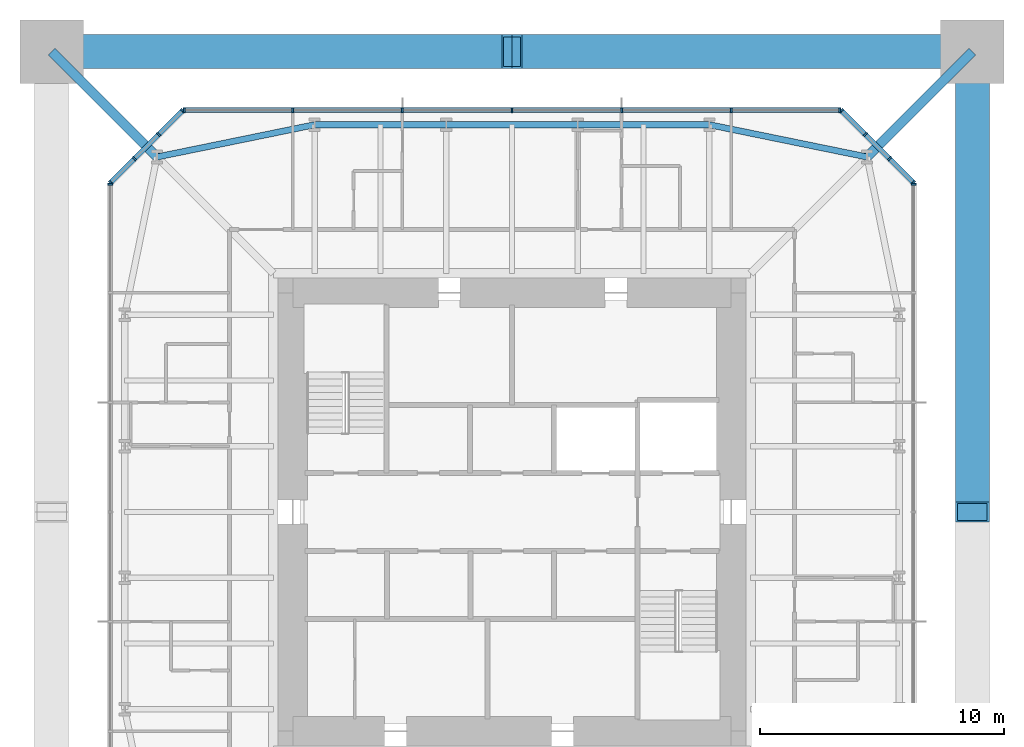
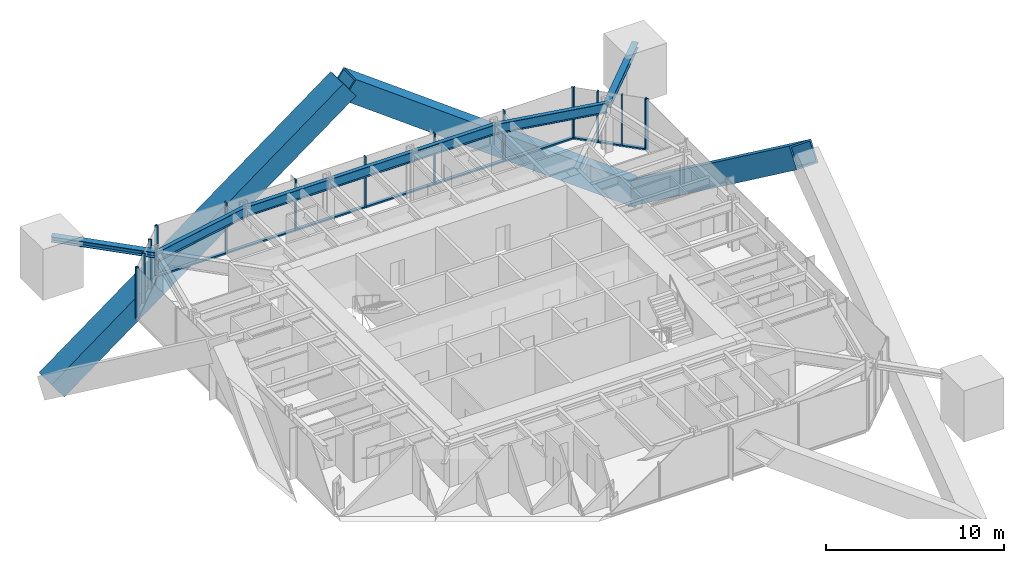
# One storey, part 5 of 10: 34 members, 5 beams, 5 elements without a shape of their own.
"""IFC4 building model written with IfcOpenShell, lengths in metres."""

import ifcopenshell
import ifcopenshell.guid

model = None  # the IFC model being written
_history = None  # IfcOwnerHistory: only IFC2X3 demands one
_inside = {}  # id of a spatial element -> (the spatial element, [elements in it])
_under = {}  # id of a project, library or spatial element -> (it, [spatial elements below it])
_declared = {}  # id of a project -> (the project, [libraries it declares])
_typed = {}  # id of a type object -> (the type object, [elements of that type])
_made_of = {}  # id of a material, layer set ... -> (it, [elements and type objects made of it])


def new_model(schema):
    """Start an empty IFC model of exactly this schema.

    Asked for "IFC4X3", IfcOpenShell would pick the latest addendum, in which some entities
    have other attributes; the version numbers below select the first issue.
    IFC2X3 requires an IfcOwnerHistory on every rooted entity: one is made here for all.
    """
    global model, _history
    if schema == "IFC4X3":
        model = ifcopenshell.file(schema_version=(4, 3, 0, 0))
    else:
        model = ifcopenshell.file(schema=schema)
    _inside.clear()
    _under.clear()
    _declared.clear()
    _typed.clear()
    _made_of.clear()
    _history = None
    if model.schema == "IFC2X3":
        org = make("IfcOrganization", Name="unknown")
        user = make(
            "IfcPersonAndOrganization",
            ThePerson=make("IfcPerson", FamilyName="unknown"),
            TheOrganization=org,
        )
        app = make(
            "IfcApplication",
            ApplicationDeveloper=org,
            Version="unknown",
            ApplicationFullName="unknown",
            ApplicationIdentifier="unknown",
        )
        _history = make(
            "IfcOwnerHistory",
            OwningUser=user,
            OwningApplication=app,
            ChangeAction="ADDED",
            CreationDate=0,
        )
    return model


def make(cls, **values):
    """One entity of the class cls with the attributes given. An attribute that is None is left unset."""
    return model.create_entity(
        cls, **{name: value for name, value in values.items() if value is not None}
    )


def rooted(cls, **values):
    """An entity with a GlobalId (a new one), such as an element, a storey or a relation."""
    return make(cls, GlobalId=ifcopenshell.guid.new(), OwnerHistory=_history, **values)


def si_unit(unit_type, name, prefix=None):
    """IfcSIUnit, for example si_unit("LENGTHUNIT", "METRE", prefix="MILLI")."""
    return make("IfcSIUnit", UnitType=unit_type, Prefix=prefix, Name=name)


def assignment(units):
    """IfcUnitAssignment: the units of a project."""
    return None if units is None else make("IfcUnitAssignment", Units=units)


def point(xyz):
    """IfcCartesianPoint."""
    return None if xyz is None else make("IfcCartesianPoint", Coordinates=xyz)


def direction(xyz):
    """IfcDirection."""
    return None if xyz is None else make("IfcDirection", DirectionRatios=xyz)


def frame(location, z_axis=None, x_axis=None):
    """IfcAxis2Placement3D, a coordinate frame: its origin and axes. An axis left out is left unset."""
    return make(
        "IfcAxis2Placement3D",
        Location=point(location),
        Axis=direction(z_axis),
        RefDirection=direction(x_axis),
    )


def frame_2d(location, x_axis=None):
    """IfcAxis2Placement2D, a coordinate frame in the plane: its origin and x axis."""
    return make(
        "IfcAxis2Placement2D", Location=point(location), RefDirection=direction(x_axis)
    )


def origin():
    """The frame at (0, 0, 0) with its axes left unset."""
    return frame((0.0, 0.0, 0.0))


def origin_2d():
    """The frame at (0, 0) in the plane with its x axis left unset."""
    return frame_2d((0.0, 0.0))


def place(relative_to, where):
    """IfcLocalPlacement: puts the frame where relative to a parent placement (None: the world)."""
    return make(
        "IfcLocalPlacement", PlacementRelTo=relative_to, RelativePlacement=where
    )


def context(
    kind, dimensions, precision=None, world=None, true_north=None, identifier=None
):
    """IfcGeometricRepresentationContext, for example the 3D "Model" context."""
    return make(
        "IfcGeometricRepresentationContext",
        ContextIdentifier=identifier,
        ContextType=kind,
        CoordinateSpaceDimension=dimensions,
        Precision=precision,
        WorldCoordinateSystem=world,
        TrueNorth=true_north,
    )


def subcontext(parent, identifier, kind, view, scale=None):
    """IfcGeometricRepresentationSubContext, for example "Body" below "Model"."""
    return make(
        "IfcGeometricRepresentationSubContext",
        ContextIdentifier=identifier,
        ContextType=kind,
        ParentContext=parent,
        TargetScale=scale,
        TargetView=view,
    )


def project(units=None, contexts=None):
    """IfcProject with its units and contexts."""
    return rooted(
        "IfcProject",
        Name="project",
        RepresentationContexts=contexts,
        UnitsInContext=assignment(units),
    )


def spatial(cls, under=None, at=None, **own):
    """A site, building, storey or space (cls), placed at a placement, below another one or the project."""
    s = rooted(cls, ObjectPlacement=at, **own)
    if under is not None:
        _under.setdefault(under.id(), (under, []))[1].append(s)
    return s


def profile(cls, at=None, kind="AREA", **sizes):
    """A parametric profile (cls). Its sizes go by their IFC names, for example OverallWidth=200.0."""
    return make(cls, ProfileType=kind, Position=at, **sizes)


def rectangle(**sizes):
    """IfcRectangleProfileDef."""
    return profile("IfcRectangleProfileDef", **sizes)


def hollow_rectangle(**sizes):
    """IfcRectangleHollowProfileDef."""
    return profile("IfcRectangleHollowProfileDef", **sizes)


def i_section(**sizes):
    """IfcIShapeProfileDef."""
    return profile("IfcIShapeProfileDef", **sizes)


def extrude(swept, where, along, depth):
    """IfcExtrudedAreaSolid: the profile swept, set in the frame where, extruded along a direction by depth."""
    return make(
        "IfcExtrudedAreaSolid",
        SweptArea=swept,
        Position=where,
        ExtrudedDirection=direction(along),
        Depth=depth,
    )


def shape(context_of_items, identifier, shape_type, items):
    """IfcShapeRepresentation: the items that make up one representation, for example the "Body"."""
    return make(
        "IfcShapeRepresentation",
        ContextOfItems=context_of_items,
        RepresentationIdentifier=identifier,
        RepresentationType=shape_type,
        Items=items,
    )


def material(Name=None, Category=None):
    """IfcMaterial."""
    return make("IfcMaterial", Name=Name, Category=Category)


def material_profile(
    of_material, cross_section, Name=None, Category=None, Priority=None
):
    """IfcMaterialProfile: a cross section and its material."""
    return make(
        "IfcMaterialProfile",
        Name=Name,
        Material=of_material,
        Profile=cross_section,
        Priority=Priority,
        Category=Category,
    )


def profile_set(profiles, Name=None, composite=None):
    """IfcMaterialProfileSet."""
    return make(
        "IfcMaterialProfileSet",
        Name=Name,
        MaterialProfiles=profiles,
        CompositeProfile=composite,
    )


def made_of(thing, what):
    """Note that an element or type object is made of a material, layer set ...; save() writes the relation."""
    if what is not None:
        _made_of.setdefault(what.id(), (what, []))[1].append(thing)
    return thing


def type_object(cls, material=None, **own):
    """A type object (cls), such as IfcWallType, which elements share."""
    return made_of(rooted(cls, **own), material)


def element(
    cls,
    number,
    at=None,
    inside=None,
    cuts=None,
    type_object=None,
    material=None,
    context=None,
    identifier="Body",
    shape_type=None,
    held_by="IfcProductDefinitionShape",
    body=None,
    shapes=None,
    **own,
):
    """One element of the class cls, such as IfcWall. Its Tag is "e" and its number.

    at: its placement. inside: the storey or other place that contains it. cuts: it is an
    opening in that element (IfcRelVoidsElement). A single representation is given by context,
    identifier, shape_type and body (its items); several are given by shapes. held_by: the class
    of the entity that holds the representations. save() writes the other relations.
    """
    e = rooted(cls, Tag="e%d" % number, ObjectPlacement=at, **own)
    if body is not None:
        shapes = [shape(context, identifier, shape_type, body)]
    if shapes is not None:
        e.Representation = make(held_by, Representations=shapes)
    if inside is not None:
        _inside.setdefault(inside.id(), (inside, []))[1].append(e)
    if cuts is not None:
        rooted(
            "IfcRelVoidsElement", RelatingBuildingElement=cuts, RelatedOpeningElement=e
        )
    if type_object is not None:
        _typed.setdefault(type_object.id(), (type_object, []))[1].append(e)
    return made_of(e, material)


def aggregate(whole, parts):
    """IfcRelAggregates: a whole, such as a stair, and the parts it consists of."""
    return rooted("IfcRelAggregates", RelatingObject=whole, RelatedObjects=parts)


def save(model, path):
    """Write the relations noted so far, then the file.

    IfcRelAggregates (storeys below a building ...), IfcRelContainedInSpatialStructure (elements
    in a storey), IfcRelDefinesByType, IfcRelAssociatesMaterial and IfcRelDeclares: one each for
    every whole, place, type object, material and project.
    """
    for whole, parts in _under.values():
        aggregate(whole, parts)
    for where, things in _inside.values():
        rooted(
            "IfcRelContainedInSpatialStructure",
            RelatedElements=things,
            RelatingStructure=where,
        )
    for kind, things in _typed.values():
        rooted("IfcRelDefinesByType", RelatedObjects=things, RelatingType=kind)
    for what, things in _made_of.values():
        rooted("IfcRelAssociatesMaterial", RelatedObjects=things, RelatingMaterial=what)
    for by, libraries in _declared.values():
        rooted("IfcRelDeclares", RelatingContext=by, RelatedDefinitions=libraries)
    model.write(path)


model = new_model("IFC4")

# Units and contexts
model_context = context("Model", 3, precision=1e-05, world=origin(), true_north=direction((0.0, 1.0)))
body_context = subcontext(model_context, "Body", "Model", "MODEL_VIEW")
ifc_project = project(units=[si_unit("LENGTHUNIT", "METRE"), si_unit("AREAUNIT", "SQUARE_METRE"), si_unit("VOLUMEUNIT", "CUBIC_METRE"), si_unit("PLANEANGLEUNIT", "RADIAN"), si_unit("MASSUNIT", "GRAM", prefix="KILO")], contexts=[model_context])

# Site, building, storey
site_placement = place(None, origin())
site = spatial("IfcSite", under=ifc_project, at=site_placement, CompositionType="ELEMENT")
building_placement = place(site_placement, origin())
building = spatial("IfcBuilding", under=site, at=building_placement, Name="Iwan Alto Co-Living Towers", CompositionType="ELEMENT")
storey_placement = place(building_placement, frame((0.0, 0.0, 246.5)))
storey = spatial("IfcBuildingStorey", under=building, at=storey_placement, Name="L67", CompositionType="ELEMENT", Elevation=246.5)

# Curtain wall, member
ifc_material_1 = material(Name="Bronze aluminium unitised frame", Category="aluminium")
curtain_wall_type_1 = type_object("IfcCurtainWallType", Name="CURTAIN WALL CW-A", PredefinedType="NOTDEFINED", material=ifc_material_1)
curtain_wall_1_placement = place(storey_placement, origin())
curtain_wall_1 = element("IfcCurtainWall", 1, at=curtain_wall_1_placement, inside=storey, type_object=curtain_wall_type_1, Name="T1 curtain wall E L67", PredefinedType="NOTDEFINED")
ifc_material_2 = material(Name="Aluminium 6063-T6 bronze anodised", Category="aluminium")
ifc_material_profile_1 = material_profile(ifc_material_2, rectangle(XDim=0.199951171875, YDim=0.080078125, at=origin_2d()), Name="AL 80X200")
ifc_profile_set_1 = profile_set([ifc_material_profile_1], Name="Aluminium 6063-T6 bronze anodised")
member_type_1 = type_object("IfcMemberType", Name="CW-A MULLION 80X200", PredefinedType="MULLION", material=ifc_profile_set_1)
member_1_placement = place(storey_placement, frame((16.5, 13.4599609375, 0.0), z_axis=(0.0, 0.0, 1.0), x_axis=(-1.0, 0.0, 0.0)))
member_1 = element("IfcMember", 2, at=member_1_placement, type_object=member_type_1, Name="CW-A mullion 7", PredefinedType="MULLION", context=body_context, shape_type="SweptSolid", body=[
    extrude(rectangle(XDim=0.199951171875, YDim=0.080078125, at=origin_2d()), origin(), (0.0, 0.0, 1.0), 3.5),
])
aggregate(curtain_wall_1, [member_1])

# Curtain wall, members
curtain_wall_2_placement = place(storey_placement, origin())
curtain_wall_2 = element("IfcCurtainWall", 3, at=curtain_wall_2_placement, inside=storey, type_object=curtain_wall_type_1, Name="T1 curtain wall N L67", PredefinedType="NOTDEFINED")
member_2_placement = place(storey_placement, frame((13.4599609375, 16.5, 0.0), z_axis=(0.0, 0.0, 1.0), x_axis=(0.0, -1.0, 0.0)))
member_2 = element("IfcMember", 4, at=member_2_placement, type_object=member_type_1, Name="CW-A mullion 1", PredefinedType="MULLION", context=body_context, shape_type="SweptSolid", body=[
    extrude(rectangle(XDim=0.199951171875, YDim=0.080078125, at=origin_2d()), origin(), (0.0, 0.0, 1.0), 3.5),
])
member_3_placement = place(storey_placement, frame((9.0, 16.5, 0.0), z_axis=(0.0, 0.0, 1.0), x_axis=(0.0, -1.0, 0.0)))
member_3 = element("IfcMember", 5, at=member_3_placement, type_object=member_type_1, Name="CW-A mullion 2", PredefinedType="MULLION", context=body_context, shape_type="SweptSolid", body=[
    extrude(rectangle(XDim=0.199951171875, YDim=0.080078125, at=origin_2d()), origin(), (0.0, 0.0, 1.0), 3.5),
])
member_4_placement = place(storey_placement, frame((4.5, 16.5, 0.0), z_axis=(0.0, 0.0, 1.0), x_axis=(0.0, -1.0, 0.0)))
member_4 = element("IfcMember", 6, at=member_4_placement, type_object=member_type_1, Name="CW-A mullion 3", PredefinedType="MULLION", context=body_context, shape_type="SweptSolid", body=[
    extrude(rectangle(XDim=0.199951171875, YDim=0.080078125, at=origin_2d()), origin(), (0.0, 0.0, 1.0), 3.5),
])
member_5_placement = place(storey_placement, frame((0.0, 16.5, 0.0), z_axis=(0.0, 0.0, 1.0), x_axis=(0.0, -1.0, 0.0)))
member_5 = element("IfcMember", 7, at=member_5_placement, type_object=member_type_1, Name="CW-A mullion 4", PredefinedType="MULLION", context=body_context, shape_type="SweptSolid", body=[
    extrude(rectangle(XDim=0.199951171875, YDim=0.080078125, at=origin_2d()), origin(), (0.0, 0.0, 1.0), 3.5),
])
member_6_placement = place(storey_placement, frame((-4.5, 16.5, 0.0), z_axis=(0.0, 0.0, 1.0), x_axis=(0.0, -1.0, 0.0)))
member_6 = element("IfcMember", 8, at=member_6_placement, type_object=member_type_1, Name="CW-A mullion 5", PredefinedType="MULLION", context=body_context, shape_type="SweptSolid", body=[
    extrude(rectangle(XDim=0.199951171875, YDim=0.080078125, at=origin_2d()), origin(), (0.0, 0.0, 1.0), 3.5),
])
member_7_placement = place(storey_placement, frame((-9.0, 16.5, 0.0), z_axis=(0.0, 0.0, 1.0), x_axis=(0.0, -1.0, 0.0)))
member_7 = element("IfcMember", 9, at=member_7_placement, type_object=member_type_1, Name="CW-A mullion 6", PredefinedType="MULLION", context=body_context, shape_type="SweptSolid", body=[
    extrude(rectangle(XDim=0.199951171875, YDim=0.080078125, at=origin_2d()), origin(), (0.0, 0.0, 1.0), 3.5),
])
member_8_placement = place(storey_placement, frame((-13.4599609375, 16.5, 0.0), z_axis=(0.0, 0.0, 1.0), x_axis=(0.0, -1.0, 0.0)))
member_8 = element("IfcMember", 10, at=member_8_placement, type_object=member_type_1, Name="CW-A mullion 7", PredefinedType="MULLION", context=body_context, shape_type="SweptSolid", body=[
    extrude(rectangle(XDim=0.199951171875, YDim=0.080078125, at=origin_2d()), origin(), (0.0, 0.0, 1.0), 3.5),
])

# Curtain wall, member
curtain_wall_3_placement = place(storey_placement, origin())
curtain_wall_3 = element("IfcCurtainWall", 11, at=curtain_wall_3_placement, inside=storey, type_object=curtain_wall_type_1, Name="T1 curtain wall W L67", PredefinedType="NOTDEFINED")
member_9_placement = place(storey_placement, frame((-16.5, 13.4599609375, 0.0), z_axis=(0.0, 0.0, 1.0), x_axis=(1.0, 0.0, 0.0)))
member_9 = element("IfcMember", 12, at=member_9_placement, type_object=member_type_1, Name="CW-A mullion 1", PredefinedType="MULLION", context=body_context, shape_type="SweptSolid", body=[
    extrude(rectangle(XDim=0.199951171875, YDim=0.080078125, at=origin_2d()), origin(), (0.0, 0.0, 1.0), 3.5),
])
aggregate(curtain_wall_3, [member_9])

# Member
ifc_material_3 = material(Name="Aluminium 6063-T6 bronze anodised", Category="aluminium")
ifc_material_profile_2 = material_profile(ifc_material_3, rectangle(XDim=0.199951171875, YDim=0.10009765625, at=origin_2d()), Name="AL 200X100")
ifc_profile_set_2 = profile_set([ifc_material_profile_2], Name="Aluminium 6063-T6 bronze anodised")
member_type_2 = type_object("IfcMemberType", Name="CW-A TRANSOM 200X100", PredefinedType="USERDEFINED", material=ifc_profile_set_2)
member_10_placement = place(storey_placement, frame((13.419921875, 16.5, 0.050048828125), z_axis=(-1.0, 0.0, 0.0), x_axis=(0.0, -1.0, 0.0)))
member_10 = element("IfcMember", 13, at=member_10_placement, type_object=member_type_2, Name="CW-A transom 1.1", ObjectType="TRANSOM", PredefinedType="USERDEFINED", context=body_context, shape_type="SweptSolid", body=[
    extrude(rectangle(XDim=0.199951171875, YDim=0.10009765625, at=origin_2d()), origin(), (0.0, 0.0, 1.0), 4.3798828125),
])

member_11_placement = place(storey_placement, frame((8.9599609375, 16.5, 0.050048828125), z_axis=(-1.0, 0.0, 0.0), x_axis=(0.0, -1.0, 0.0)))
member_11 = element("IfcMember", 14, at=member_11_placement, type_object=member_type_2, Name="CW-A transom 2.1", ObjectType="TRANSOM", PredefinedType="USERDEFINED", context=body_context, shape_type="SweptSolid", body=[
    extrude(rectangle(XDim=0.199951171875, YDim=0.10009765625, at=origin_2d()), origin(), (0.0, 0.0, 1.0), 4.419921875),
])

member_12_placement = place(storey_placement, frame((4.4599609375, 16.5, 0.050048828125), z_axis=(-1.0, 0.0, 0.0), x_axis=(0.0, -1.0, 0.0)))
member_12 = element("IfcMember", 15, at=member_12_placement, type_object=member_type_2, Name="CW-A transom 3.1", ObjectType="TRANSOM", PredefinedType="USERDEFINED", context=body_context, shape_type="SweptSolid", body=[
    extrude(rectangle(XDim=0.199951171875, YDim=0.10009765625, at=origin_2d()), origin(), (0.0, 0.0, 1.0), 4.419921875),
])

member_13_placement = place(storey_placement, frame((-0.0400390625, 16.5, 0.050048828125), z_axis=(-1.0, 0.0, 0.0), x_axis=(0.0, -1.0, 0.0)))
member_13 = element("IfcMember", 16, at=member_13_placement, type_object=member_type_2, Name="CW-A transom 4.1", ObjectType="TRANSOM", PredefinedType="USERDEFINED", context=body_context, shape_type="SweptSolid", body=[
    extrude(rectangle(XDim=0.199951171875, YDim=0.10009765625, at=origin_2d()), origin(), (0.0, 0.0, 1.0), 4.419921875),
])

member_14_placement = place(storey_placement, frame((-4.5400390625, 16.5, 0.050048828125), z_axis=(-1.0, 0.0, 0.0), x_axis=(0.0, -1.0, 0.0)))
member_14 = element("IfcMember", 17, at=member_14_placement, type_object=member_type_2, Name="CW-A transom 5.1", ObjectType="TRANSOM", PredefinedType="USERDEFINED", context=body_context, shape_type="SweptSolid", body=[
    extrude(rectangle(XDim=0.199951171875, YDim=0.10009765625, at=origin_2d()), origin(), (0.0, 0.0, 1.0), 4.419921875),
])

member_15_placement = place(storey_placement, frame((-9.0400390625, 16.5, 0.050048828125), z_axis=(-1.0, 0.0, 0.0), x_axis=(0.0, -1.0, 0.0)))
member_15 = element("IfcMember", 18, at=member_15_placement, type_object=member_type_2, Name="CW-A transom 6.1", ObjectType="TRANSOM", PredefinedType="USERDEFINED", context=body_context, shape_type="SweptSolid", body=[
    extrude(rectangle(XDim=0.199951171875, YDim=0.10009765625, at=origin_2d()), origin(), (0.0, 0.0, 1.0), 4.3798828125),
])

aggregate(curtain_wall_2, [member_2, member_3, member_4, member_5, member_6, member_7, member_8, member_10, member_11, member_12, member_13, member_14, member_15])

# Curtain wall, members
ifc_material_4 = material(Name="Bronze aluminium unitised frame", Category="aluminium")
curtain_wall_type_2 = type_object("IfcCurtainWallType", Name="CURTAIN WALL CW-B", PredefinedType="NOTDEFINED", material=ifc_material_4)
curtain_wall_4_placement = place(storey_placement, origin())
curtain_wall_4 = element("IfcCurtainWall", 19, at=curtain_wall_4_placement, inside=storey, type_object=curtain_wall_type_2, Name="T1 chamfer curtain wall NE L67", PredefinedType="NOTDEFINED")
ifc_material_5 = material(Name="Aluminium 6063-T6 bronze anodised", Category="aluminium")
ifc_material_profile_3 = material_profile(ifc_material_5, rectangle(XDim=0.199951171875, YDim=0.080078125, at=origin_2d()), Name="AL 80X200")
ifc_profile_set_3 = profile_set([ifc_material_profile_3], Name="Aluminium 6063-T6 bronze anodised")
member_type_3 = type_object("IfcMemberType", Name="CW-B MULLION 80X200", PredefinedType="MULLION", material=ifc_profile_set_3)
member_16_placement = place(storey_placement, frame((16.4716796875, 13.5283203125, 0.0), z_axis=(0.0, 0.0, 1.0), x_axis=(-0.707106781187, -0.707106781187, 0.0)))
member_16 = element("IfcMember", 20, at=member_16_placement, type_object=member_type_3, Name="CW-B mullion 1", PredefinedType="MULLION", context=body_context, shape_type="SweptSolid", body=[
    extrude(rectangle(XDim=0.199951171875, YDim=0.080078125, at=origin_2d()), origin(), (0.0, 0.0, 1.0), 3.5),
])
member_17_placement = place(storey_placement, frame((15.5, 14.5, 0.0), z_axis=(0.0, 0.0, 1.0), x_axis=(-0.707106781187, -0.707106781187, 0.0)))
member_17 = element("IfcMember", 21, at=member_17_placement, type_object=member_type_3, Name="CW-B mullion 2", PredefinedType="MULLION", context=body_context, shape_type="SweptSolid", body=[
    extrude(rectangle(XDim=0.199951171875, YDim=0.080078125, at=origin_2d()), origin(), (0.0, 0.0, 1.0), 3.5),
])
member_18_placement = place(storey_placement, frame((14.5, 15.5, 0.0), z_axis=(0.0, 0.0, 1.0), x_axis=(-0.707106781187, -0.707106781187, 0.0)))
member_18 = element("IfcMember", 22, at=member_18_placement, type_object=member_type_3, Name="CW-B mullion 3", PredefinedType="MULLION", context=body_context, shape_type="SweptSolid", body=[
    extrude(rectangle(XDim=0.199951171875, YDim=0.080078125, at=origin_2d()), origin(), (0.0, 0.0, 1.0), 3.5),
])
member_19_placement = place(storey_placement, frame((13.5283203125, 16.4716796875, 0.0), z_axis=(0.0, 0.0, 1.0), x_axis=(-0.707106781187, -0.707106781187, 0.0)))
member_19 = element("IfcMember", 23, at=member_19_placement, type_object=member_type_3, Name="CW-B mullion 4", PredefinedType="MULLION", context=body_context, shape_type="SweptSolid", body=[
    extrude(rectangle(XDim=0.199951171875, YDim=0.080078125, at=origin_2d()), origin(), (0.0, 0.0, 1.0), 3.5),
])

curtain_wall_5_placement = place(storey_placement, origin())
curtain_wall_5 = element("IfcCurtainWall", 24, at=curtain_wall_5_placement, inside=storey, type_object=curtain_wall_type_2, Name="T1 chamfer curtain wall NW L67", PredefinedType="NOTDEFINED")
member_20_placement = place(storey_placement, frame((-13.5283203125, 16.4716796875, 0.0), z_axis=(0.0, 0.0, 1.0), x_axis=(0.707106781187, -0.707106781187, 0.0)))
member_20 = element("IfcMember", 25, at=member_20_placement, type_object=member_type_3, Name="CW-B mullion 1", PredefinedType="MULLION", context=body_context, shape_type="SweptSolid", body=[
    extrude(rectangle(XDim=0.199951171875, YDim=0.080078125, at=origin_2d()), origin(), (0.0, 0.0, 1.0), 3.5),
])
member_21_placement = place(storey_placement, frame((-14.5, 15.5, 0.0), z_axis=(0.0, 0.0, 1.0), x_axis=(0.707106781187, -0.707106781187, 0.0)))
member_21 = element("IfcMember", 26, at=member_21_placement, type_object=member_type_3, Name="CW-B mullion 2", PredefinedType="MULLION", context=body_context, shape_type="SweptSolid", body=[
    extrude(rectangle(XDim=0.199951171875, YDim=0.080078125, at=origin_2d()), origin(), (0.0, 0.0, 1.0), 3.5),
])
member_22_placement = place(storey_placement, frame((-15.5, 14.5, 0.0), z_axis=(0.0, 0.0, 1.0), x_axis=(0.707106781187, -0.707106781187, 0.0)))
member_22 = element("IfcMember", 27, at=member_22_placement, type_object=member_type_3, Name="CW-B mullion 3", PredefinedType="MULLION", context=body_context, shape_type="SweptSolid", body=[
    extrude(rectangle(XDim=0.199951171875, YDim=0.080078125, at=origin_2d()), origin(), (0.0, 0.0, 1.0), 3.5),
])
member_23_placement = place(storey_placement, frame((-16.4716796875, 13.5283203125, 0.0), z_axis=(0.0, 0.0, 1.0), x_axis=(0.707106781187, -0.707106781187, 0.0)))
member_23 = element("IfcMember", 28, at=member_23_placement, type_object=member_type_3, Name="CW-B mullion 4", PredefinedType="MULLION", context=body_context, shape_type="SweptSolid", body=[
    extrude(rectangle(XDim=0.199951171875, YDim=0.080078125, at=origin_2d()), origin(), (0.0, 0.0, 1.0), 3.5),
])

# Member
ifc_material_6 = material(Name="Aluminium 6063-T6 bronze anodised", Category="aluminium")
ifc_material_profile_4 = material_profile(ifc_material_6, rectangle(XDim=0.199951171875, YDim=0.10009765625, at=origin_2d()), Name="AL 200X100")
ifc_profile_set_4 = profile_set([ifc_material_profile_4], Name="Aluminium 6063-T6 bronze anodised")
member_type_4 = type_object("IfcMemberType", Name="CW-B TRANSOM 200X100", PredefinedType="USERDEFINED", material=ifc_profile_set_4)
member_24_placement = place(storey_placement, frame((16.443359375, 13.556640625, 0.050048828125), z_axis=(-0.707106781187, 0.707106781187, 0.0), x_axis=(-0.707106781187, -0.707106781187, 0.0)))
member_24 = element("IfcMember", 29, at=member_24_placement, type_object=member_type_4, Name="CW-B transom 1.1", ObjectType="TRANSOM", PredefinedType="USERDEFINED", context=body_context, shape_type="SweptSolid", body=[
    extrude(rectangle(XDim=0.199951171875, YDim=0.10009765625, at=origin_2d()), origin(), (0.0, 0.0, 1.0), 1.2939453125),
])

member_25_placement = place(storey_placement, frame((15.4716796875, 14.5283203125, 0.050048828125), z_axis=(-0.707106781187, 0.707106781187, 0.0), x_axis=(-0.707106781187, -0.707106781187, 0.0)))
member_25 = element("IfcMember", 30, at=member_25_placement, type_object=member_type_4, Name="CW-B transom 2.1", ObjectType="TRANSOM", PredefinedType="USERDEFINED", context=body_context, shape_type="SweptSolid", body=[
    extrude(rectangle(XDim=0.199951171875, YDim=0.10009765625, at=origin_2d()), origin(), (0.0, 0.0, 1.0), 1.334228515625),
])

member_26_placement = place(storey_placement, frame((14.4716796875, 15.5283203125, 0.050048828125), z_axis=(-0.707106781187, 0.707106781187, 0.0), x_axis=(-0.707106781187, -0.707106781187, 0.0)))
member_26 = element("IfcMember", 31, at=member_26_placement, type_object=member_type_4, Name="CW-B transom 3.1", ObjectType="TRANSOM", PredefinedType="USERDEFINED", context=body_context, shape_type="SweptSolid", body=[
    extrude(rectangle(XDim=0.199951171875, YDim=0.10009765625, at=origin_2d()), origin(), (0.0, 0.0, 1.0), 1.2939453125),
])

aggregate(curtain_wall_4, [member_16, member_17, member_18, member_19, member_24, member_25, member_26])

member_27_placement = place(storey_placement, frame((-13.556640625, 16.443359375, 0.050048828125), z_axis=(-0.707106781187, -0.707106781187, 0.0), x_axis=(0.707106781187, -0.707106781187, 0.0)))
member_27 = element("IfcMember", 32, at=member_27_placement, type_object=member_type_4, Name="CW-B transom 1.1", ObjectType="TRANSOM", PredefinedType="USERDEFINED", context=body_context, shape_type="SweptSolid", body=[
    extrude(rectangle(XDim=0.199951171875, YDim=0.10009765625, at=origin_2d()), origin(), (0.0, 0.0, 1.0), 1.2939453125),
])

member_28_placement = place(storey_placement, frame((-14.5283203125, 15.4716796875, 0.050048828125), z_axis=(-0.707106781187, -0.707106781187, 0.0), x_axis=(0.707106781187, -0.707106781187, 0.0)))
member_28 = element("IfcMember", 33, at=member_28_placement, type_object=member_type_4, Name="CW-B transom 2.1", ObjectType="TRANSOM", PredefinedType="USERDEFINED", context=body_context, shape_type="SweptSolid", body=[
    extrude(rectangle(XDim=0.199951171875, YDim=0.10009765625, at=origin_2d()), origin(), (0.0, 0.0, 1.0), 1.334228515625),
])

member_29_placement = place(storey_placement, frame((-15.5283203125, 14.4716796875, 0.050048828125), z_axis=(-0.707106781187, -0.707106781187, 0.0), x_axis=(0.707106781187, -0.707106781187, 0.0)))
member_29 = element("IfcMember", 34, at=member_29_placement, type_object=member_type_4, Name="CW-B transom 3.1", ObjectType="TRANSOM", PredefinedType="USERDEFINED", context=body_context, shape_type="SweptSolid", body=[
    extrude(rectangle(XDim=0.199951171875, YDim=0.10009765625, at=origin_2d()), origin(), (0.0, 0.0, 1.0), 1.2939453125),
])

aggregate(curtain_wall_5, [member_20, member_21, member_22, member_23, member_27, member_28, member_29])

# Beams
ifc_material_7 = material(Name="Steel ASTM A992 Gr 50", Category="steel")
ifc_material_profile_5 = material_profile(ifc_material_7, i_section(OverallWidth=0.25390625, OverallDepth=0.683349609375, WebThickness=0.012451171875, FlangeThickness=0.018798828125, at=origin_2d()), Name="W27X94")
ifc_profile_set_5 = profile_set([ifc_material_profile_5], Name="Steel ASTM A992 Gr 50")
beam_type = type_object("IfcBeamType", Name="T1 EDGE BEAM W27X94", PredefinedType="BEAM", material=ifc_profile_set_5)
beam_1_placement = place(storey_placement, frame((14.57568359375, 14.57568359375, 2.928466796875), z_axis=(-0.979724820103, 0.200347889618, 0.0), x_axis=(-0.200347889618, -0.979724820103, 0.0)))
element("IfcBeam", 35, at=beam_1_placement, inside=storey, type_object=beam_type, Name="T1 edge beam CNE L68", PredefinedType="BEAM", context=body_context, shape_type="SweptSolid", body=[
    extrude(i_section(OverallWidth=0.25390625, OverallDepth=0.683349609375, WebThickness=0.012451171875, FlangeThickness=0.018798828125, at=origin_2d()), origin(), (0.0, 0.0, 1.0), 6.609619140625),
])
beam_2_placement = place(storey_placement, frame((8.10009765625, 15.89990234375, 2.928466796875), z_axis=(-1.0, 0.0, 0.0), x_axis=(0.0, -1.0, 0.0)))
element("IfcBeam", 36, at=beam_2_placement, inside=storey, type_object=beam_type, Name="T1 edge beam N1 L68", PredefinedType="BEAM", context=body_context, shape_type="SweptSolid", body=[
    extrude(i_section(OverallWidth=0.25390625, OverallDepth=0.683349609375, WebThickness=0.012451171875, FlangeThickness=0.018798828125, at=origin_2d()), origin(), (0.0, 0.0, 1.0), 5.400146484375),
])
beam_3_placement = place(storey_placement, frame((2.699951171875, 15.89990234375, 2.928466796875), z_axis=(-1.0, 0.0, 0.0), x_axis=(0.0, -1.0, 0.0)))
element("IfcBeam", 37, at=beam_3_placement, inside=storey, type_object=beam_type, Name="T1 edge beam N2 L68", PredefinedType="BEAM", context=body_context, shape_type="SweptSolid", body=[
    extrude(i_section(OverallWidth=0.25390625, OverallDepth=0.683349609375, WebThickness=0.012451171875, FlangeThickness=0.018798828125, at=origin_2d()), origin(), (0.0, 0.0, 1.0), 5.39990234375),
])
beam_4_placement = place(storey_placement, frame((-2.699951171875, 15.89990234375, 2.928466796875), z_axis=(-1.0, 0.0, 0.0), x_axis=(0.0, -1.0, 0.0)))
element("IfcBeam", 38, at=beam_4_placement, inside=storey, type_object=beam_type, Name="T1 edge beam N3 L68", PredefinedType="BEAM", context=body_context, shape_type="SweptSolid", body=[
    extrude(i_section(OverallWidth=0.25390625, OverallDepth=0.683349609375, WebThickness=0.012451171875, FlangeThickness=0.018798828125, at=origin_2d()), origin(), (0.0, 0.0, 1.0), 5.400146484375),
])
beam_5_placement = place(storey_placement, frame((-8.10009765625, 15.89990234375, 2.928466796875), z_axis=(-0.979724820103, -0.200347889618, 0.0), x_axis=(0.200347889618, -0.979724820103, 0.0)))
element("IfcBeam", 39, at=beam_5_placement, inside=storey, type_object=beam_type, Name="T1 edge beam N4 L68", PredefinedType="BEAM", context=body_context, shape_type="SweptSolid", body=[
    extrude(i_section(OverallWidth=0.25390625, OverallDepth=0.683349609375, WebThickness=0.012451171875, FlangeThickness=0.018798828125, at=origin_2d()), origin(), (0.0, 0.0, 1.0), 6.609619140625),
])

# Members
ifc_material_8 = material(Name="Steel ASTM A572 Gr 50", Category="steel")
ifc_material_profile_6 = material_profile(ifc_material_8, hollow_rectangle(XDim=1.39990234375, YDim=1.39990234375, WallThickness=0.10009765625, at=origin_2d()), Name="BOX 1400X1400X100")
ifc_profile_set_6 = profile_set([ifc_material_profile_6], Name="Steel ASTM A572 Gr 50")
member_type_5 = type_object("IfcMemberType", Name="T1 MEGA BRACE BOX 1400X1400X100", PredefinedType="BRACE", material=ifc_profile_set_6)
for number, where, z_axis, x_axis, name in (
    (40, (18.89990234375, 18.89990234375, -7.0), (0.0, -0.803555722309, 0.595229536519), (1.0, 0.0, 0.0), "T1 mega brace Z4B E 2 lower"),
    (41, (18.89990234375, 18.89990234375, -7.0), (-0.803555722309, 0.0, 0.595229536519), (0.0, -1.0, 0.0), "T1 mega brace Z4B N 1 lower"),
    (42, (-18.89990234375, 18.89990234375, -7.0), (0.803555722309, 0.0, 0.595229536519), (0.0, 1.0, 0.0), "T1 mega brace Z4B N 2 lower"),
):
    element("IfcMember", number, at=place(storey_placement, frame(where, z_axis=z_axis, x_axis=x_axis)), inside=storey, type_object=member_type_5, Name=name, PredefinedType="BRACE", context=body_context, shape_type="SweptSolid", body=[
        extrude(hollow_rectangle(XDim=1.39990234375, YDim=1.39990234375, WallThickness=0.10009765625, at=origin_2d()), origin(), (0.0, 0.0, 1.0), 23.520263671875),
    ])
ifc_material_9 = material(Name="Steel ASTM A992 Gr 50", Category="steel")
ifc_material_profile_7 = material_profile(ifc_material_9, i_section(OverallWidth=0.393798828125, OverallDepth=0.3759765625, WebThickness=0.017333984375, FlangeThickness=0.027587890625, at=origin_2d()), Name="W14X145")
ifc_profile_set_7 = profile_set([ifc_material_profile_7], Name="Steel ASTM A992 Gr 50")
member_type_6 = type_object("IfcMemberType", Name="T1 MEGA COLUMN FLOOR TIE W14X145", PredefinedType="STRUT", material=ifc_profile_set_7)
for number, where, z_axis, x_axis, name in (
    (43, (18.89990234375, 18.89990234375, 3.08203125), (-0.707106781187, -0.707106781187, 0.0), (0.707106781187, -0.707106781187, 0.0), "T1 mega column floor tie NE L68"),
    (44, (-18.89990234375, 18.89990234375, 3.08203125), (0.707106781187, -0.707106781187, 0.0), (0.707106781187, 0.707106781187, 0.0), "T1 mega column floor tie NW L68"),
):
    element("IfcMember", number, at=place(storey_placement, frame(where, z_axis=z_axis, x_axis=x_axis)), inside=storey, type_object=member_type_6, Name=name, PredefinedType="STRUT", context=body_context, shape_type="SweptSolid", body=[
        extrude(i_section(OverallWidth=0.393798828125, OverallDepth=0.3759765625, WebThickness=0.017333984375, FlangeThickness=0.027587890625, at=origin_2d()), origin(), (0.0, 0.0, 1.0), 6.115478515625),
    ])

save(model, "model.ifc")
